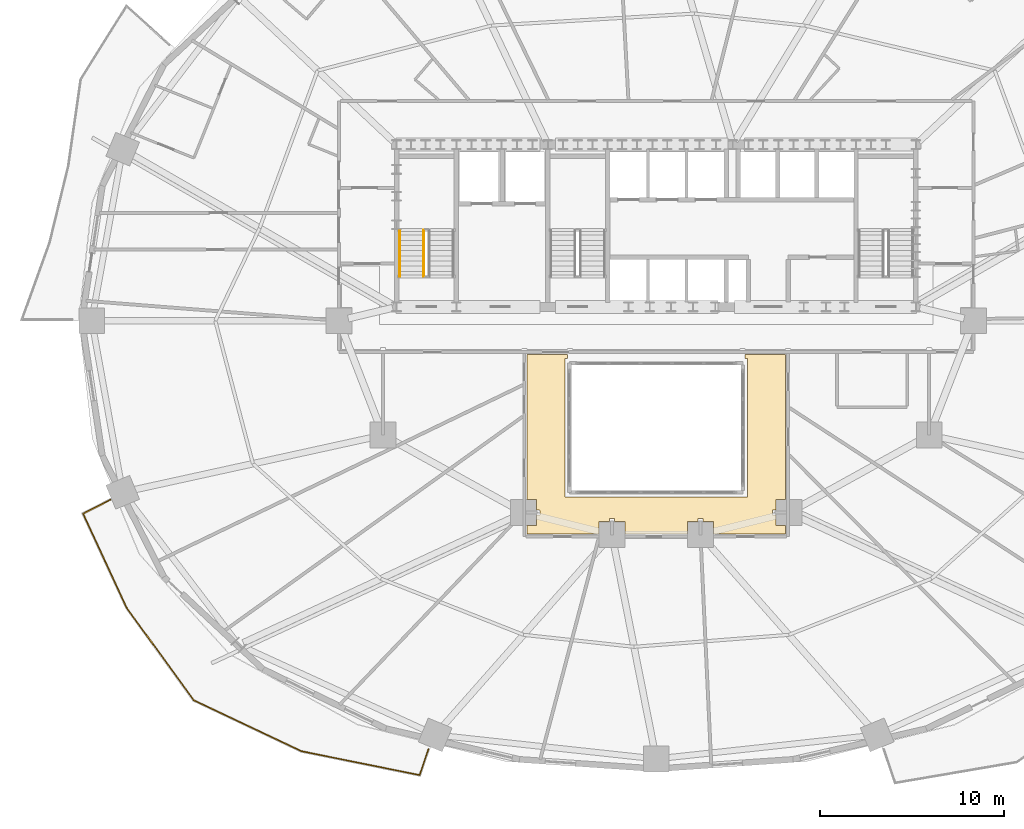
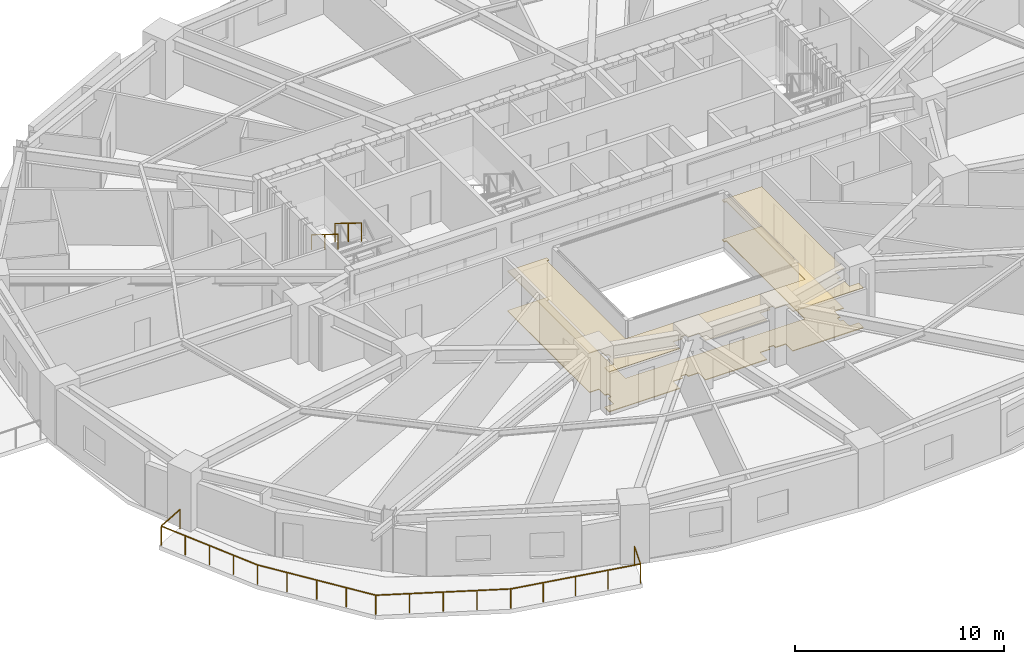
# One storey, part 14 of 17: 3 railings, 2 coverings.
"""IFC4 building model written with IfcOpenShell, lengths in metres."""

from ifc_helpers import new_model, si_unit, direction, frame, origin, origin_2d, place, context, subcontext, project, spatial, polyline, rectangle, outline, extrude, material, layer, layer_set, type_object, element, save


model = new_model("IFC4")

# Units and contexts
model_context = context("Model", 3, precision=1e-05, world=origin(), true_north=direction((0.0, 1.0)))
body_context = subcontext(model_context, "Body", "Model", "MODEL_VIEW")
ifc_project = project(units=[si_unit("LENGTHUNIT", "METRE"), si_unit("AREAUNIT", "SQUARE_METRE"), si_unit("VOLUMEUNIT", "CUBIC_METRE"), si_unit("PLANEANGLEUNIT", "RADIAN"), si_unit("MASSUNIT", "GRAM", prefix="KILO")], contexts=[model_context])

# Site, building, storey
site_placement = place(None, origin())
site = spatial("IfcSite", under=ifc_project, at=site_placement, CompositionType="ELEMENT")
building_placement = place(site_placement, origin())
building = spatial("IfcBuilding", under=site, at=building_placement, Name="Haldorwick Loom Tower", CompositionType="ELEMENT")
storey_placement = place(building_placement, frame((0.0, 0.0, 34.35009765625)))
storey = spatial("IfcBuildingStorey", under=building, at=storey_placement, Name="L08", CompositionType="ELEMENT", Elevation=34.35009765625)

# Coverings
ifc_material_1 = material(Name="Mineral Fibre Acoustic Ceiling Tile")
ifc_layer_1 = layer(ifc_material_1, 0.054931640625, Name="Mineral Fibre Acoustic Ceiling Tile")
ifc_layer_set_1 = layer_set([ifc_layer_1], Name="Mineral Fibre Acoustic Ceiling Tile")
covering_type_1 = type_object("IfcCoveringType", Name="ARC-COV-CEIL2", PredefinedType="CEILING", material=ifc_layer_set_1)
covering_1_placement = place(storey_placement, frame((0.0, 0.0, 2.302001953125)))
element("IfcCovering", 1, at=covering_1_placement, inside=storey, type_object=covering_type_1, Name="L08 Acoustic Suspended Ceiling 1", PredefinedType="CEILING", context=body_context, shape_type="SweptSolid", body=[
    extrude(outline(polyline([(40.820068359375, 24.159912109375), (40.820068359375, 23.949951171875), (40.949951171875, 23.949951171875), (40.949951171875, 16.449951171875), (31.050048828125, 16.449951171875), (31.050048828125, 23.949951171875), (31.179931640625, 23.949951171875), (31.179931640625, 24.159912109375), (28.989990234375, 24.159912109375), (28.989990234375, 16.30810546875), (29.508056640625, 16.30810546875), (29.508056640625, 15.739990234375), (29.669921875, 15.739990234375), (29.672119140625, 15.739990234375), (29.673828125, 15.739501953125), (29.67578125, 15.739013671875), (29.677734375, 15.738525390625), (29.679443359375, 15.737548828125), (29.68115234375, 15.736572265625), (29.6826171875, 15.735595703125), (29.68408203125, 15.734130859375), (29.685546875, 15.732666015625), (29.6865234375, 15.731201171875), (29.6875, 15.7294921875), (29.6884765625, 15.727783203125), (29.689208984375, 15.725830078125), (29.689697265625, 15.723876953125), (29.68994140625, 15.721923828125), (29.68994140625, 15.719970703125), (29.68994140625, 15.47998046875), (29.68994140625, 15.47802734375), (29.689697265625, 15.47607421875), (29.689208984375, 15.47412109375), (29.6884765625, 15.472412109375), (29.6875, 15.470703125), (29.6865234375, 15.468994140625), (29.685546875, 15.46728515625), (29.68408203125, 15.4658203125), (29.6826171875, 15.464599609375), (29.68115234375, 15.46337890625), (29.679443359375, 15.46240234375), (29.677734375, 15.46142578125), (29.67578125, 15.4609375), (29.673828125, 15.46044921875), (29.672119140625, 15.460205078125), (29.669921875, 15.4599609375), (29.508056640625, 15.4599609375), (29.508056640625, 14.89208984375), (28.989990234375, 14.89208984375), (28.989990234375, 14.43994140625), (32.89208984375, 14.43994140625), (32.89208984375, 15.10791015625), (33.4599609375, 15.10791015625), (33.4599609375, 15.27001953125), (33.460205078125, 15.27197265625), (33.46044921875, 15.27392578125), (33.4609375, 15.27587890625), (33.46142578125, 15.277587890625), (33.46240234375, 15.279296875), (33.46337890625, 15.281005859375), (33.464599609375, 15.28271484375), (33.4658203125, 15.2841796875), (33.46728515625, 15.285400390625), (33.468994140625, 15.28662109375), (33.470703125, 15.28759765625), (33.472412109375, 15.28857421875), (33.47412109375, 15.2890625), (33.47607421875, 15.28955078125), (33.47802734375, 15.289794921875), (33.47998046875, 15.2900390625), (33.719970703125, 15.2900390625), (33.721923828125, 15.289794921875), (33.723876953125, 15.28955078125), (33.725830078125, 15.2890625), (33.727783203125, 15.28857421875), (33.7294921875, 15.28759765625), (33.731201171875, 15.28662109375), (33.732666015625, 15.285400390625), (33.734130859375, 15.2841796875), (33.735595703125, 15.28271484375), (33.736572265625, 15.281005859375), (33.737548828125, 15.279296875), (33.738525390625, 15.277587890625), (33.739013671875, 15.27587890625), (33.739501953125, 15.27392578125), (33.739990234375, 15.27197265625), (33.739990234375, 15.27001953125), (33.739990234375, 15.10791015625), (34.30810546875, 15.10791015625), (34.30810546875, 14.43994140625), (37.69189453125, 14.43994140625), (37.69189453125, 15.10791015625), (38.259765625, 15.10791015625), (38.260009765625, 15.27001953125), (38.260009765625, 15.27197265625), (38.260498046875, 15.27392578125), (38.260986328125, 15.27587890625), (38.261474609375, 15.277587890625), (38.262451171875, 15.279296875), (38.263427734375, 15.281005859375), (38.264404296875, 15.28271484375), (38.265869140625, 15.2841796875), (38.267333984375, 15.285400390625), (38.268798828125, 15.28662109375), (38.2705078125, 15.28759765625), (38.2724609375, 15.28857421875), (38.274169921875, 15.2890625), (38.276123046875, 15.28955078125), (38.278076171875, 15.289794921875), (38.280029296875, 15.2900390625), (38.52001953125, 15.2900390625), (38.52197265625, 15.289794921875), (38.52392578125, 15.28955078125), (38.52587890625, 15.2890625), (38.527587890625, 15.28857421875), (38.529296875, 15.28759765625), (38.531005859375, 15.28662109375), (38.53271484375, 15.285400390625), (38.5341796875, 15.2841796875), (38.535400390625, 15.28271484375), (38.53662109375, 15.281005859375), (38.53759765625, 15.279296875), (38.53857421875, 15.277587890625), (38.5390625, 15.27587890625), (38.53955078125, 15.27392578125), (38.539794921875, 15.27197265625), (38.5400390625, 15.27001953125), (38.5400390625, 15.10791015625), (39.10791015625, 15.10791015625), (39.10791015625, 14.43994140625), (43.010009765625, 14.43994140625), (43.010009765625, 14.89208984375), (42.491943359375, 14.89208984375), (42.491943359375, 15.4599609375), (42.330078125, 15.4599609375), (42.327880859375, 15.460205078125), (42.326171875, 15.46044921875), (42.32421875, 15.4609375), (42.322265625, 15.46142578125), (42.320556640625, 15.46240234375), (42.31884765625, 15.46337890625), (42.3173828125, 15.464599609375), (42.31591796875, 15.4658203125), (42.314453125, 15.46728515625), (42.3134765625, 15.468994140625), (42.3125, 15.470703125), (42.3115234375, 15.472412109375), (42.310791015625, 15.47412109375), (42.310302734375, 15.47607421875), (42.31005859375, 15.47802734375), (42.31005859375, 15.47998046875), (42.31005859375, 15.719970703125), (42.31005859375, 15.721923828125), (42.310302734375, 15.723876953125), (42.310791015625, 15.725830078125), (42.3115234375, 15.727783203125), (42.3125, 15.7294921875), (42.3134765625, 15.731201171875), (42.314453125, 15.732666015625), (42.31591796875, 15.734130859375), (42.3173828125, 15.735595703125), (42.31884765625, 15.736572265625), (42.320556640625, 15.737548828125), (42.322265625, 15.738525390625), (42.32421875, 15.739013671875), (42.326171875, 15.739501953125), (42.327880859375, 15.739990234375), (42.330078125, 15.739990234375), (42.491943359375, 15.739990234375), (42.491943359375, 16.30810546875), (43.010009765625, 16.30810546875), (43.010009765625, 24.159912109375), (40.820068359375, 24.159912109375)])), origin(), (0.0, 0.0, 1.0), 0.054931640625),
])
ifc_material_2 = material(Name="Polished Aggregate Terrazzo Finish")
ifc_layer_2 = layer(ifc_material_2, 0.044921875, Name="Polished Aggregate Terrazzo Finish")
ifc_layer_set_2 = layer_set([ifc_layer_2], Name="Polished Aggregate Terrazzo Finish")
covering_type_2 = type_object("IfcCoveringType", Name="ARC-COV-FLOOR2", PredefinedType="FLOORING", material=ifc_layer_set_2)
covering_2_placement = place(storey_placement, origin())
element("IfcCovering", 2, at=covering_2_placement, inside=storey, type_object=covering_type_2, Name="L08 Floor Finish 1", PredefinedType="FLOORING", context=body_context, shape_type="SweptSolid", body=[
    extrude(outline(polyline([(40.820068359375, 24.159912109375), (40.820068359375, 23.949951171875), (40.949951171875, 23.949951171875), (40.949951171875, 16.449951171875), (31.050048828125, 16.449951171875), (31.050048828125, 23.949951171875), (31.179931640625, 23.949951171875), (31.179931640625, 24.159912109375), (28.989990234375, 24.159912109375), (28.989990234375, 16.30810546875), (29.508056640625, 16.30810546875), (29.508056640625, 15.739990234375), (29.669921875, 15.739990234375), (29.672119140625, 15.739990234375), (29.673828125, 15.739501953125), (29.67578125, 15.739013671875), (29.677734375, 15.738525390625), (29.679443359375, 15.737548828125), (29.68115234375, 15.736572265625), (29.6826171875, 15.735595703125), (29.68408203125, 15.734130859375), (29.685546875, 15.732666015625), (29.6865234375, 15.731201171875), (29.6875, 15.7294921875), (29.6884765625, 15.727783203125), (29.689208984375, 15.725830078125), (29.689697265625, 15.723876953125), (29.68994140625, 15.721923828125), (29.68994140625, 15.719970703125), (29.68994140625, 15.47998046875), (29.68994140625, 15.47802734375), (29.689697265625, 15.47607421875), (29.689208984375, 15.47412109375), (29.6884765625, 15.472412109375), (29.6875, 15.470703125), (29.6865234375, 15.468994140625), (29.685546875, 15.46728515625), (29.68408203125, 15.4658203125), (29.6826171875, 15.464599609375), (29.68115234375, 15.46337890625), (29.679443359375, 15.46240234375), (29.677734375, 15.46142578125), (29.67578125, 15.4609375), (29.673828125, 15.46044921875), (29.672119140625, 15.460205078125), (29.669921875, 15.4599609375), (29.508056640625, 15.4599609375), (29.508056640625, 14.89208984375), (28.989990234375, 14.89208984375), (28.989990234375, 14.43994140625), (32.89208984375, 14.43994140625), (32.89208984375, 15.10791015625), (33.4599609375, 15.10791015625), (33.4599609375, 15.27001953125), (33.460205078125, 15.27197265625), (33.46044921875, 15.27392578125), (33.4609375, 15.27587890625), (33.46142578125, 15.277587890625), (33.46240234375, 15.279296875), (33.46337890625, 15.281005859375), (33.464599609375, 15.28271484375), (33.4658203125, 15.2841796875), (33.46728515625, 15.285400390625), (33.468994140625, 15.28662109375), (33.470703125, 15.28759765625), (33.472412109375, 15.28857421875), (33.47412109375, 15.2890625), (33.47607421875, 15.28955078125), (33.47802734375, 15.289794921875), (33.47998046875, 15.2900390625), (33.719970703125, 15.2900390625), (33.721923828125, 15.289794921875), (33.723876953125, 15.28955078125), (33.725830078125, 15.2890625), (33.727783203125, 15.28857421875), (33.7294921875, 15.28759765625), (33.731201171875, 15.28662109375), (33.732666015625, 15.285400390625), (33.734130859375, 15.2841796875), (33.735595703125, 15.28271484375), (33.736572265625, 15.281005859375), (33.737548828125, 15.279296875), (33.738525390625, 15.277587890625), (33.739013671875, 15.27587890625), (33.739501953125, 15.27392578125), (33.739990234375, 15.27197265625), (33.739990234375, 15.27001953125), (33.739990234375, 15.10791015625), (34.30810546875, 15.10791015625), (34.30810546875, 14.43994140625), (37.69189453125, 14.43994140625), (37.69189453125, 15.10791015625), (38.259765625, 15.10791015625), (38.260009765625, 15.27001953125), (38.260009765625, 15.27197265625), (38.260498046875, 15.27392578125), (38.260986328125, 15.27587890625), (38.261474609375, 15.277587890625), (38.262451171875, 15.279296875), (38.263427734375, 15.281005859375), (38.264404296875, 15.28271484375), (38.265869140625, 15.2841796875), (38.267333984375, 15.285400390625), (38.268798828125, 15.28662109375), (38.2705078125, 15.28759765625), (38.2724609375, 15.28857421875), (38.274169921875, 15.2890625), (38.276123046875, 15.28955078125), (38.278076171875, 15.289794921875), (38.280029296875, 15.2900390625), (38.52001953125, 15.2900390625), (38.52197265625, 15.289794921875), (38.52392578125, 15.28955078125), (38.52587890625, 15.2890625), (38.527587890625, 15.28857421875), (38.529296875, 15.28759765625), (38.531005859375, 15.28662109375), (38.53271484375, 15.285400390625), (38.5341796875, 15.2841796875), (38.535400390625, 15.28271484375), (38.53662109375, 15.281005859375), (38.53759765625, 15.279296875), (38.53857421875, 15.277587890625), (38.5390625, 15.27587890625), (38.53955078125, 15.27392578125), (38.539794921875, 15.27197265625), (38.5400390625, 15.27001953125), (38.5400390625, 15.10791015625), (39.10791015625, 15.10791015625), (39.10791015625, 14.43994140625), (43.010009765625, 14.43994140625), (43.010009765625, 14.89208984375), (42.491943359375, 14.89208984375), (42.491943359375, 15.4599609375), (42.330078125, 15.4599609375), (42.327880859375, 15.460205078125), (42.326171875, 15.46044921875), (42.32421875, 15.4609375), (42.322265625, 15.46142578125), (42.320556640625, 15.46240234375), (42.31884765625, 15.46337890625), (42.3173828125, 15.464599609375), (42.31591796875, 15.4658203125), (42.314453125, 15.46728515625), (42.3134765625, 15.468994140625), (42.3125, 15.470703125), (42.3115234375, 15.472412109375), (42.310791015625, 15.47412109375), (42.310302734375, 15.47607421875), (42.31005859375, 15.47802734375), (42.31005859375, 15.47998046875), (42.31005859375, 15.719970703125), (42.31005859375, 15.721923828125), (42.310302734375, 15.723876953125), (42.310791015625, 15.725830078125), (42.3115234375, 15.727783203125), (42.3125, 15.7294921875), (42.3134765625, 15.731201171875), (42.314453125, 15.732666015625), (42.31591796875, 15.734130859375), (42.3173828125, 15.735595703125), (42.31884765625, 15.736572265625), (42.320556640625, 15.737548828125), (42.322265625, 15.738525390625), (42.32421875, 15.739013671875), (42.326171875, 15.739501953125), (42.327880859375, 15.739990234375), (42.330078125, 15.739990234375), (42.491943359375, 15.739990234375), (42.491943359375, 16.30810546875), (43.010009765625, 16.30810546875), (43.010009765625, 24.159912109375), (40.820068359375, 24.159912109375)])), origin(), (0.0, 0.0, 1.0), 0.044921875),
])

# Railings
ifc_material_3 = material(Name="Galvanized Steel CSA G40.21 350W", Category="steel")
railing_type_1 = type_object("IfcRailingType", Name="ARC-RLG-BAL115", PredefinedType="BALUSTRADE", material=ifc_material_3)
railing_1_placement = place(storey_placement, frame((23.660400390625, 2.79248046875, 0.0)))
element("IfcRailing", 3, at=railing_1_placement, inside=storey, type_object=railing_type_1, Name="L08 Outdoor Terrace Guardrail SLB-L08-BAL_SW-1", PredefinedType="BALUSTRADE", context=body_context, shape_type="SweptSolid", body=[
    extrude(rectangle(XDim=0.048095703125, YDim=0.048095703125, at=origin_2d()), frame((0.0, 0.0, 1.1259765625), z_axis=(-0.32290577032, -0.946431119255, 0.0), x_axis=(0.946431119255, -0.32290577032, 0.0)), (0.0, 0.0, 1.0), 1.500732421875),
    extrude(rectangle(XDim=0.048095703125, YDim=0.048095703125, at=origin_2d()), frame((-0.484619140625, -1.42041015625, 1.1259765625), z_axis=(-0.980139965522, 0.198306953954, 0.0), x_axis=(-0.198306953954, -0.980139965522, 0.0)), (0.0, 0.0, 1.0), 6.534912109375),
    extrude(rectangle(XDim=0.048095703125, YDim=0.048095703125, at=origin_2d()), frame((-6.8896484375, -0.12451171875, 1.1259765625), z_axis=(-0.903760901088, 0.428037654494, 0.0), x_axis=(-0.428037654494, -0.903760901088, 0.0)), (0.0, 0.0, 1.0), 6.46630859375),
    extrude(rectangle(XDim=0.048095703125, YDim=0.048095703125, at=origin_2d()), frame((-12.733642578125, 2.643310546875, 1.1259765625), z_axis=(-0.586900247166, 0.809659249238, 0.0), x_axis=(-0.809659249238, -0.586900247166, 0.0)), (0.0, 0.0, 1.0), 6.18017578125),
    extrude(rectangle(XDim=0.048095703125, YDim=0.048095703125, at=origin_2d()), frame((-16.36083984375, 7.647216796875, 1.1259765625), z_axis=(-0.420617836847, 0.907237915503, 0.0), x_axis=(-0.907237915503, -0.420617836847, 0.0)), (0.0, 0.0, 1.0), 5.626220703125),
    extrude(rectangle(XDim=0.048095703125, YDim=0.048095703125, at=origin_2d()), frame((-18.727294921875, 12.75146484375, 1.1259765625), z_axis=(0.891661262254, 0.452703206744, 0.0), x_axis=(-0.452703206744, 0.891661262254, 0.0)), (0.0, 0.0, 1.0), 1.65185546875),
    extrude(rectangle(XDim=0.0419921875, YDim=0.0419921875, at=origin_2d()), origin(), (0.0, 0.0, 1.0), 1.101806640625),
    extrude(rectangle(XDim=0.0419921875, YDim=0.0419921875, at=origin_2d()), frame((-0.484619140625, -1.42041015625, 0.0)), (0.0, 0.0, 1.0), 1.101806640625),
    extrude(rectangle(XDim=0.0419921875, YDim=0.0419921875, at=origin_2d()), frame((-2.0859375, -1.096435546875, 0.0)), (0.0, 0.0, 1.0), 1.101806640625),
    extrude(rectangle(XDim=0.0419921875, YDim=0.0419921875, at=origin_2d()), frame((-3.68701171875, -0.7724609375, 0.0)), (0.0, 0.0, 1.0), 1.101806640625),
    extrude(rectangle(XDim=0.0419921875, YDim=0.0419921875, at=origin_2d()), frame((-5.288330078125, -0.448486328125, 0.0)), (0.0, 0.0, 1.0), 1.101806640625),
    extrude(rectangle(XDim=0.0419921875, YDim=0.0419921875, at=origin_2d()), frame((-6.8896484375, -0.12451171875, 0.0)), (0.0, 0.0, 1.0), 1.101806640625),
    extrude(rectangle(XDim=0.0419921875, YDim=0.0419921875, at=origin_2d()), frame((-8.3505859375, 0.5673828125, 0.0)), (0.0, 0.0, 1.0), 1.101806640625),
    extrude(rectangle(XDim=0.0419921875, YDim=0.0419921875, at=origin_2d()), frame((-9.8115234375, 1.25927734375, 0.0)), (0.0, 0.0, 1.0), 1.101806640625),
    extrude(rectangle(XDim=0.0419921875, YDim=0.0419921875, at=origin_2d()), frame((-11.272705078125, 1.951416015625, 0.0)), (0.0, 0.0, 1.0), 1.101806640625),
    extrude(rectangle(XDim=0.0419921875, YDim=0.0419921875, at=origin_2d()), frame((-12.733642578125, 2.643310546875, 0.0)), (0.0, 0.0, 1.0), 1.101806640625),
    extrude(rectangle(XDim=0.0419921875, YDim=0.0419921875, at=origin_2d()), frame((-13.640380859375, 3.894287109375, 0.0)), (0.0, 0.0, 1.0), 1.101806640625),
    extrude(rectangle(XDim=0.0419921875, YDim=0.0419921875, at=origin_2d()), frame((-14.54736328125, 5.145263671875, 0.0)), (0.0, 0.0, 1.0), 1.101806640625),
    extrude(rectangle(XDim=0.0419921875, YDim=0.0419921875, at=origin_2d()), frame((-15.4541015625, 6.396240234375, 0.0)), (0.0, 0.0, 1.0), 1.101806640625),
    extrude(rectangle(XDim=0.0419921875, YDim=0.0419921875, at=origin_2d()), frame((-16.36083984375, 7.647216796875, 0.0)), (0.0, 0.0, 1.0), 1.101806640625),
    extrude(rectangle(XDim=0.0419921875, YDim=0.0419921875, at=origin_2d()), frame((-16.952392578125, 8.92333984375, 0.0)), (0.0, 0.0, 1.0), 1.101806640625),
    extrude(rectangle(XDim=0.0419921875, YDim=0.0419921875, at=origin_2d()), frame((-17.5439453125, 10.19921875, 0.0)), (0.0, 0.0, 1.0), 1.101806640625),
    extrude(rectangle(XDim=0.0419921875, YDim=0.0419921875, at=origin_2d()), frame((-18.1357421875, 11.475341796875, 0.0)), (0.0, 0.0, 1.0), 1.101806640625),
    extrude(rectangle(XDim=0.0419921875, YDim=0.0419921875, at=origin_2d()), frame((-18.727294921875, 12.75146484375, 0.0)), (0.0, 0.0, 1.0), 1.101806640625),
    extrude(rectangle(XDim=0.0419921875, YDim=0.0419921875, at=origin_2d()), frame((-17.25439453125, 13.499267578125, 0.0)), (0.0, 0.0, 1.0), 1.101806640625),
])
ifc_material_4 = material(Name="Steel CSA G40.21 350W", Category="steel")
railing_type_2 = type_object("IfcRailingType", Name="ARC-RLG-GUARD112", PredefinedType="GUARDRAIL", material=ifc_material_4)
railing_2_placement = place(storey_placement, frame((23.39990234375, 30.919921875, 1.8974609375)))
element("IfcRailing", 4, at=railing_2_placement, inside=storey, type_object=railing_type_2, Name="L08 ST-01 stair guard 3", PredefinedType="GUARDRAIL", context=body_context, shape_type="SweptSolid", body=[
    extrude(rectangle(XDim=0.048095703125, YDim=0.048095703125, at=origin_2d()), frame((0.0, 0.0, 1.076171875), z_axis=(0.0, -0.851400495292, 0.524516154772), x_axis=(1.0, 0.0, 0.0)), (0.0, 0.0, 1.0), 2.9599609375),
    extrude(rectangle(XDim=0.0419921875, YDim=0.0419921875, at=origin_2d()), origin(), (0.0, 0.0, 1.0), 1.052001953125),
    extrude(rectangle(XDim=0.0419921875, YDim=0.0419921875, at=origin_2d()), frame((0.0, -1.260009765625, 0.7763671875)), (0.0, 0.0, 1.0), 1.052001953125),
    extrude(rectangle(XDim=0.0419921875, YDim=0.0419921875, at=origin_2d()), frame((0.0, -2.52001953125, 1.552490234375)), (0.0, 0.0, 1.0), 1.052001953125),
])
railing_type_3 = type_object("IfcRailingType", Name="ARC-RLG-HAND092", PredefinedType="HANDRAIL", material=ifc_material_4)
railing_3_placement = place(storey_placement, frame((22.10009765625, 30.919921875, 1.8974609375)))
element("IfcRailing", 5, at=railing_3_placement, inside=storey, type_object=railing_type_3, Name="L08 ST-01 stair handrail 2", PredefinedType="HANDRAIL", context=body_context, shape_type="SweptSolid", body=[
    extrude(rectangle(XDim=0.048095703125, YDim=0.048095703125, at=origin_2d()), frame((0.0, 0.0, 0.8759765625), z_axis=(0.0, -0.851400495292, 0.524516154772), x_axis=(1.0, 0.0, 0.0)), (0.0, 0.0, 1.0), 2.9599609375),
    extrude(rectangle(XDim=0.0419921875, YDim=0.0419921875, at=origin_2d()), origin(), (0.0, 0.0, 1.0), 0.851806640625),
    extrude(rectangle(XDim=0.0419921875, YDim=0.0419921875, at=origin_2d()), frame((0.0, -1.260009765625, 0.7763671875)), (0.0, 0.0, 1.0), 0.851806640625),
    extrude(rectangle(XDim=0.0419921875, YDim=0.0419921875, at=origin_2d()), frame((0.0, -2.52001953125, 1.552490234375)), (0.0, 0.0, 1.0), 0.851806640625),
])

save(model, "model.ifc")
